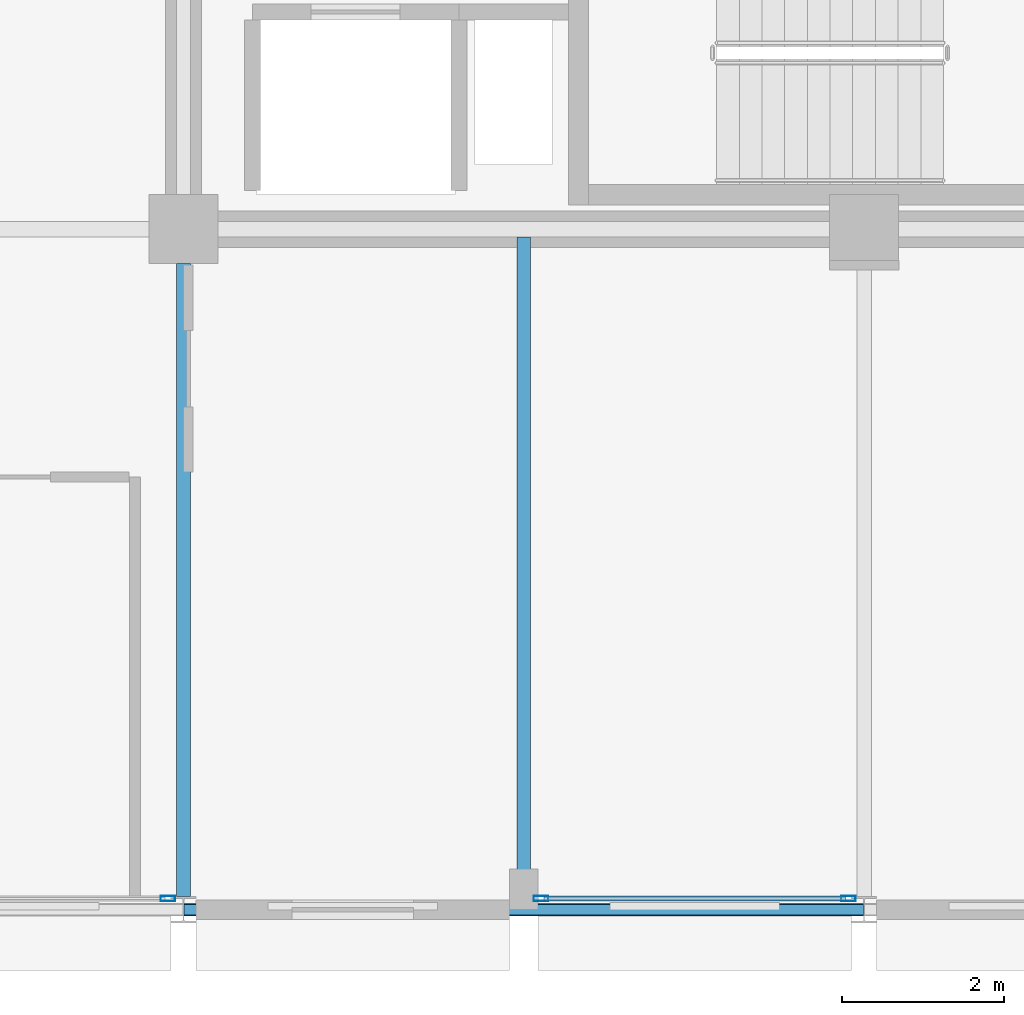
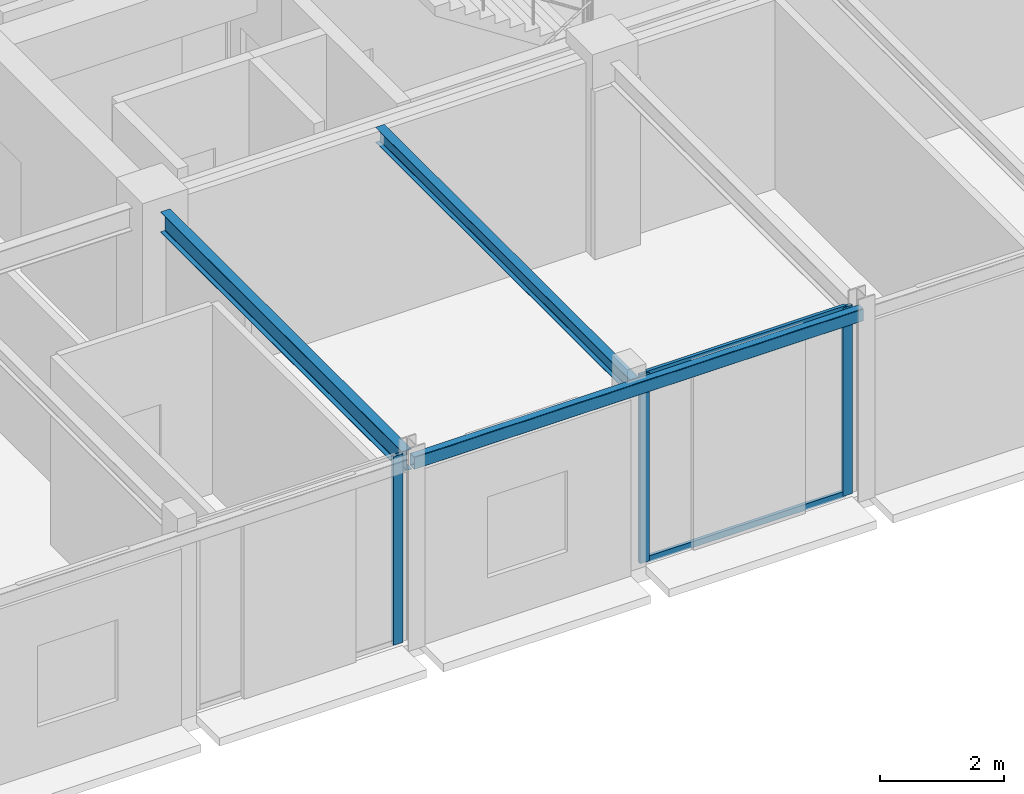
# One storey, part 7 of 27: 5 members, 3 beams, 2 elements without a shape of their own.
"""IFC4 building model written with IfcOpenShell, lengths in metres."""

import ifcopenshell
import ifcopenshell.guid

model = None  # the IFC model being written
_history = None  # IfcOwnerHistory: only IFC2X3 demands one
_inside = {}  # id of a spatial element -> (the spatial element, [elements in it])
_under = {}  # id of a project, library or spatial element -> (it, [spatial elements below it])
_declared = {}  # id of a project -> (the project, [libraries it declares])
_typed = {}  # id of a type object -> (the type object, [elements of that type])
_made_of = {}  # id of a material, layer set ... -> (it, [elements and type objects made of it])


def new_model(schema):
    """Start an empty IFC model of exactly this schema.

    Asked for "IFC4X3", IfcOpenShell would pick the latest addendum, in which some entities
    have other attributes; the version numbers below select the first issue.
    IFC2X3 requires an IfcOwnerHistory on every rooted entity: one is made here for all.
    """
    global model, _history
    if schema == "IFC4X3":
        model = ifcopenshell.file(schema_version=(4, 3, 0, 0))
    else:
        model = ifcopenshell.file(schema=schema)
    _inside.clear()
    _under.clear()
    _declared.clear()
    _typed.clear()
    _made_of.clear()
    _history = None
    if model.schema == "IFC2X3":
        org = make("IfcOrganization", Name="unknown")
        user = make(
            "IfcPersonAndOrganization",
            ThePerson=make("IfcPerson", FamilyName="unknown"),
            TheOrganization=org,
        )
        app = make(
            "IfcApplication",
            ApplicationDeveloper=org,
            Version="unknown",
            ApplicationFullName="unknown",
            ApplicationIdentifier="unknown",
        )
        _history = make(
            "IfcOwnerHistory",
            OwningUser=user,
            OwningApplication=app,
            ChangeAction="ADDED",
            CreationDate=0,
        )
    return model


def make(cls, **values):
    """One entity of the class cls with the attributes given. An attribute that is None is left unset."""
    return model.create_entity(
        cls, **{name: value for name, value in values.items() if value is not None}
    )


def rooted(cls, **values):
    """An entity with a GlobalId (a new one), such as an element, a storey or a relation."""
    return make(cls, GlobalId=ifcopenshell.guid.new(), OwnerHistory=_history, **values)


def si_unit(unit_type, name, prefix=None):
    """IfcSIUnit, for example si_unit("LENGTHUNIT", "METRE", prefix="MILLI")."""
    return make("IfcSIUnit", UnitType=unit_type, Prefix=prefix, Name=name)


def assignment(units):
    """IfcUnitAssignment: the units of a project."""
    return None if units is None else make("IfcUnitAssignment", Units=units)


def point(xyz):
    """IfcCartesianPoint."""
    return None if xyz is None else make("IfcCartesianPoint", Coordinates=xyz)


def direction(xyz):
    """IfcDirection."""
    return None if xyz is None else make("IfcDirection", DirectionRatios=xyz)


def frame(location, z_axis=None, x_axis=None):
    """IfcAxis2Placement3D, a coordinate frame: its origin and axes. An axis left out is left unset."""
    return make(
        "IfcAxis2Placement3D",
        Location=point(location),
        Axis=direction(z_axis),
        RefDirection=direction(x_axis),
    )


def frame_2d(location, x_axis=None):
    """IfcAxis2Placement2D, a coordinate frame in the plane: its origin and x axis."""
    return make(
        "IfcAxis2Placement2D", Location=point(location), RefDirection=direction(x_axis)
    )


def origin():
    """The frame at (0, 0, 0) with its axes left unset."""
    return frame((0.0, 0.0, 0.0))


def origin_2d():
    """The frame at (0, 0) in the plane with its x axis left unset."""
    return frame_2d((0.0, 0.0))


def place(relative_to, where):
    """IfcLocalPlacement: puts the frame where relative to a parent placement (None: the world)."""
    return make(
        "IfcLocalPlacement", PlacementRelTo=relative_to, RelativePlacement=where
    )


def context(
    kind, dimensions, precision=None, world=None, true_north=None, identifier=None
):
    """IfcGeometricRepresentationContext, for example the 3D "Model" context."""
    return make(
        "IfcGeometricRepresentationContext",
        ContextIdentifier=identifier,
        ContextType=kind,
        CoordinateSpaceDimension=dimensions,
        Precision=precision,
        WorldCoordinateSystem=world,
        TrueNorth=true_north,
    )


def subcontext(parent, identifier, kind, view, scale=None):
    """IfcGeometricRepresentationSubContext, for example "Body" below "Model"."""
    return make(
        "IfcGeometricRepresentationSubContext",
        ContextIdentifier=identifier,
        ContextType=kind,
        ParentContext=parent,
        TargetScale=scale,
        TargetView=view,
    )


def project(units=None, contexts=None):
    """IfcProject with its units and contexts."""
    return rooted(
        "IfcProject",
        Name="project",
        RepresentationContexts=contexts,
        UnitsInContext=assignment(units),
    )


def spatial(cls, under=None, at=None, **own):
    """A site, building, storey or space (cls), placed at a placement, below another one or the project."""
    s = rooted(cls, ObjectPlacement=at, **own)
    if under is not None:
        _under.setdefault(under.id(), (under, []))[1].append(s)
    return s


def profile(cls, at=None, kind="AREA", **sizes):
    """A parametric profile (cls). Its sizes go by their IFC names, for example OverallWidth=200.0."""
    return make(cls, ProfileType=kind, Position=at, **sizes)


def hollow_rectangle(**sizes):
    """IfcRectangleHollowProfileDef."""
    return profile("IfcRectangleHollowProfileDef", **sizes)


def i_section(**sizes):
    """IfcIShapeProfileDef."""
    return profile("IfcIShapeProfileDef", **sizes)


def extrude(swept, where, along, depth):
    """IfcExtrudedAreaSolid: the profile swept, set in the frame where, extruded along a direction by depth."""
    return make(
        "IfcExtrudedAreaSolid",
        SweptArea=swept,
        Position=where,
        ExtrudedDirection=direction(along),
        Depth=depth,
    )


def shape(context_of_items, identifier, shape_type, items):
    """IfcShapeRepresentation: the items that make up one representation, for example the "Body"."""
    return make(
        "IfcShapeRepresentation",
        ContextOfItems=context_of_items,
        RepresentationIdentifier=identifier,
        RepresentationType=shape_type,
        Items=items,
    )


def material(Name=None, Category=None):
    """IfcMaterial."""
    return make("IfcMaterial", Name=Name, Category=Category)


def layer(
    of_material, thickness, ventilated=None, Name=None, Category=None, Priority=None
):
    """IfcMaterialLayer: one layer of a wall or slab, of a material (None: an air gap)."""
    return make(
        "IfcMaterialLayer",
        Material=of_material,
        LayerThickness=thickness,
        IsVentilated=ventilated,
        Name=Name,
        Category=Category,
        Priority=Priority,
    )


def layer_set(layers, Name=None):
    """IfcMaterialLayerSet."""
    return make("IfcMaterialLayerSet", MaterialLayers=layers, LayerSetName=Name)


def material_profile(
    of_material, cross_section, Name=None, Category=None, Priority=None
):
    """IfcMaterialProfile: a cross section and its material."""
    return make(
        "IfcMaterialProfile",
        Name=Name,
        Material=of_material,
        Profile=cross_section,
        Priority=Priority,
        Category=Category,
    )


def profile_set(profiles, Name=None, composite=None):
    """IfcMaterialProfileSet."""
    return make(
        "IfcMaterialProfileSet",
        Name=Name,
        MaterialProfiles=profiles,
        CompositeProfile=composite,
    )


def made_of(thing, what):
    """Note that an element or type object is made of a material, layer set ...; save() writes the relation."""
    if what is not None:
        _made_of.setdefault(what.id(), (what, []))[1].append(thing)
    return thing


def type_object(cls, material=None, **own):
    """A type object (cls), such as IfcWallType, which elements share."""
    return made_of(rooted(cls, **own), material)


def element(
    cls,
    number,
    at=None,
    inside=None,
    cuts=None,
    type_object=None,
    material=None,
    context=None,
    identifier="Body",
    shape_type=None,
    held_by="IfcProductDefinitionShape",
    body=None,
    shapes=None,
    **own,
):
    """One element of the class cls, such as IfcWall. Its Tag is "e" and its number.

    at: its placement. inside: the storey or other place that contains it. cuts: it is an
    opening in that element (IfcRelVoidsElement). A single representation is given by context,
    identifier, shape_type and body (its items); several are given by shapes. held_by: the class
    of the entity that holds the representations. save() writes the other relations.
    """
    e = rooted(cls, Tag="e%d" % number, ObjectPlacement=at, **own)
    if body is not None:
        shapes = [shape(context, identifier, shape_type, body)]
    if shapes is not None:
        e.Representation = make(held_by, Representations=shapes)
    if inside is not None:
        _inside.setdefault(inside.id(), (inside, []))[1].append(e)
    if cuts is not None:
        rooted(
            "IfcRelVoidsElement", RelatingBuildingElement=cuts, RelatedOpeningElement=e
        )
    if type_object is not None:
        _typed.setdefault(type_object.id(), (type_object, []))[1].append(e)
    return made_of(e, material)


def aggregate(whole, parts):
    """IfcRelAggregates: a whole, such as a stair, and the parts it consists of."""
    return rooted("IfcRelAggregates", RelatingObject=whole, RelatedObjects=parts)


def save(model, path):
    """Write the relations noted so far, then the file.

    IfcRelAggregates (storeys below a building ...), IfcRelContainedInSpatialStructure (elements
    in a storey), IfcRelDefinesByType, IfcRelAssociatesMaterial and IfcRelDeclares: one each for
    every whole, place, type object, material and project.
    """
    for whole, parts in _under.values():
        aggregate(whole, parts)
    for where, things in _inside.values():
        rooted(
            "IfcRelContainedInSpatialStructure",
            RelatedElements=things,
            RelatingStructure=where,
        )
    for kind, things in _typed.values():
        rooted("IfcRelDefinesByType", RelatedObjects=things, RelatingType=kind)
    for what, things in _made_of.values():
        rooted("IfcRelAssociatesMaterial", RelatedObjects=things, RelatingMaterial=what)
    for by, libraries in _declared.values():
        rooted("IfcRelDeclares", RelatingContext=by, RelatedDefinitions=libraries)
    model.write(path)


model = new_model("IFC4")

# Units and contexts
model_context = context("Model", 3, precision=1e-05, world=origin(), true_north=direction((0.0, 1.0)))
body_context = subcontext(model_context, "Body", "Model", "MODEL_VIEW")
ifc_project = project(units=[si_unit("LENGTHUNIT", "METRE"), si_unit("AREAUNIT", "SQUARE_METRE"), si_unit("VOLUMEUNIT", "CUBIC_METRE"), si_unit("PLANEANGLEUNIT", "RADIAN"), si_unit("MASSUNIT", "GRAM", prefix="KILO")], contexts=[model_context])

# Site, building, storey
site_placement = place(None, origin())
site = spatial("IfcSite", under=ifc_project, at=site_placement, CompositionType="ELEMENT")
building_placement = place(site_placement, origin())
building = spatial("IfcBuilding", under=site, at=building_placement, Name="Nerrivon Quay Data Exchange", CompositionType="ELEMENT")
storey_placement = place(building_placement, frame((0.0, 0.0, 266.199951171875)))
storey = spatial("IfcBuildingStorey", under=building, at=storey_placement, Name="L63", CompositionType="ELEMENT", Elevation=266.199951171875)

# Beams
ifc_material_1 = material(Name="Steel Grade 350", Category="steel")
ifc_material_profile_1 = material_profile(ifc_material_1, i_section(OverallWidth=0.177978515625, OverallDepth=0.406005859375, WebThickness=0.0078125, FlangeThickness=0.0126953125, FilletRadius=0.011474609375, at=origin_2d()), Name="410UB59.7")
ifc_profile_set_1 = profile_set([ifc_material_profile_1], Name="Steel Grade 350")
beam_type_1 = type_object("IfcBeamType", Name="BM-J1-410UB60", PredefinedType="JOIST", material=ifc_profile_set_1)
beam_1_placement = place(storey_placement, frame((16.800048828125, 0.16357421875, 3.52197265625), z_axis=(0.0, 1.0, 0.0), x_axis=(-1.0, 0.0, 0.0)))
element("IfcBeam", 1, at=beam_1_placement, inside=storey, type_object=beam_type_1, Name="L63 NS Girder X=16.8 (0.0..8.4)", PredefinedType="JOIST", context=body_context, shape_type="SweptSolid", body=[
    extrude(i_section(OverallWidth=0.177978515625, OverallDepth=0.406005859375, WebThickness=0.0078125, FlangeThickness=0.0126953125, FilletRadius=0.011474609375, at=origin_2d()), origin(), (0.0, 0.0, 1.0), 7.8115234375),
])
ifc_material_profile_2 = material_profile(ifc_material_1, i_section(OverallWidth=0.1650390625, OverallDepth=0.303955078125, WebThickness=0.006103515625, FlangeThickness=0.01025390625, FilletRadius=0.011474609375, at=origin_2d()), Name="310UB40.4")
ifc_profile_set_2 = profile_set([ifc_material_profile_2], Name="Steel Grade 350")
beam_type_2 = type_object("IfcBeamType", Name="BM-J6-310UB40", PredefinedType="JOIST", material=ifc_profile_set_2)
beam_2_placement = place(storey_placement, frame((21.0, 0.074951171875, 3.572998046875), z_axis=(0.0, 1.0, 0.0), x_axis=(-1.0, 0.0, 0.0)))
element("IfcBeam", 2, at=beam_2_placement, inside=storey, type_object=beam_type_2, Name="L63 Secondary Joist X=21.0 (0.0..8.4)", PredefinedType="JOIST", context=body_context, shape_type="SweptSolid", body=[
    extrude(i_section(OverallWidth=0.1650390625, OverallDepth=0.303955078125, WebThickness=0.006103515625, FlangeThickness=0.01025390625, FilletRadius=0.011474609375, at=origin_2d()), origin(), (0.0, 0.0, 1.0), 8.22998046875),
])
ifc_material_2 = material(Name="Steel Grade C350L0 (350 MPa)", Category="steel")
ifc_material_profile_3 = material_profile(ifc_material_2, hollow_rectangle(XDim=0.14990234375, YDim=0.25, WallThickness=0.009033203125, InnerFilletRadius=0.013427734375, OuterFilletRadius=0.0224609375, at=origin_2d()), Name="250x150x9.0RHS")
ifc_profile_set_3 = profile_set([ifc_material_profile_3], Name="Steel Grade C350L0 (350 MPa)")
beam_type_3 = type_object("IfcBeamType", Name="BM-SP4-250x150RHS", PredefinedType="SPANDREL", material=ifc_profile_set_3)
beam_3_placement = place(storey_placement, frame((16.807861328125, 0.0, 3.60009765625), z_axis=(1.0, 0.0, 0.0), x_axis=(0.0, 1.0, 0.0)))
element("IfcBeam", 3, at=beam_3_placement, inside=storey, type_object=beam_type_3, Name="L63 EW Girder Y=0.0 (16.8..25.2)", PredefinedType="SPANDREL", context=body_context, shape_type="SweptSolid", body=[
    extrude(hollow_rectangle(XDim=0.14990234375, YDim=0.25, WallThickness=0.009033203125, InnerFilletRadius=0.013427734375, OuterFilletRadius=0.0224609375, at=origin_2d()), origin(), (0.0, 0.0, 1.0), 8.38427734375),
])

# Curtain wall, members
ifc_material_3 = material(Name="Anodised aluminium 6063-T6", Category="aluminium")
ifc_layer = layer(ifc_material_3, 0.195068359375)
ifc_layer_set = layer_set([ifc_layer], Name="Anodised aluminium 6063-T6")
curtain_wall_type = type_object("IfcCurtainWallType", Name="CW-SYS-06", PredefinedType="NOTDEFINED", material=ifc_layer_set)
curtain_wall_1_placement = place(storey_placement, origin())
curtain_wall_1 = element("IfcCurtainWall", 4, at=curtain_wall_1_placement, inside=storey, type_object=curtain_wall_type, Name="L63 Unitised Curtain Wall 4", PredefinedType="NOTDEFINED")
ifc_material_profile_4 = material_profile(ifc_material_3, hollow_rectangle(XDim=0.06494140625, YDim=0.179931640625, WallThickness=0.00341796875, at=origin_2d()), Name="ALU-MULL-180x65")
ifc_profile_set_4 = profile_set([ifc_material_profile_4], Name="Anodised aluminium 6063-T6")
member_type_1 = type_object("IfcMemberType", Name="CWM-180x65", PredefinedType="MULLION", material=ifc_profile_set_4)
member_1_placement = place(storey_placement, frame((25.007080078125, 0.139892578125, 0.0), z_axis=(0.0, 0.0, 1.0), x_axis=(0.0, -1.0, 0.0)))
member_1 = element("IfcMember", 5, at=member_1_placement, type_object=member_type_1, Name="CW06 mullion 1", PredefinedType="MULLION", context=body_context, shape_type="SweptSolid", body=[
    extrude(hollow_rectangle(XDim=0.06494140625, YDim=0.179931640625, WallThickness=0.00341796875, at=origin_2d()), origin(), (0.0, 0.0, 1.0), 3.72509765625),
])
member_2_placement = place(storey_placement, frame((21.21240234375, 0.139892578125, 0.0), z_axis=(0.0, 0.0, 1.0), x_axis=(0.0, -1.0, 0.0)))
member_2 = element("IfcMember", 6, at=member_2_placement, type_object=member_type_1, Name="CW06 mullion 2", PredefinedType="MULLION", context=body_context, shape_type="SweptSolid", body=[
    extrude(hollow_rectangle(XDim=0.06494140625, YDim=0.179931640625, WallThickness=0.00341796875, at=origin_2d()), origin(), (0.0, 0.0, 1.0), 3.72509765625),
])

# Curtain wall, member
curtain_wall_2_placement = place(storey_placement, origin())
curtain_wall_2 = element("IfcCurtainWall", 7, at=curtain_wall_2_placement, inside=storey, type_object=curtain_wall_type, Name="L63 Unitised Curtain Wall 6", PredefinedType="NOTDEFINED")
member_3_placement = place(storey_placement, frame((16.60693359375, 0.139892578125, 0.0), z_axis=(0.0, 0.0, 1.0), x_axis=(0.0, -1.0, 0.0)))
member_3 = element("IfcMember", 8, at=member_3_placement, type_object=member_type_1, Name="CW06 mullion 1", PredefinedType="MULLION", context=body_context, shape_type="SweptSolid", body=[
    extrude(hollow_rectangle(XDim=0.06494140625, YDim=0.179931640625, WallThickness=0.00341796875, at=origin_2d()), origin(), (0.0, 0.0, 1.0), 3.72509765625),
])
aggregate(curtain_wall_2, [member_3])

# Member
ifc_material_profile_5 = material_profile(ifc_material_3, hollow_rectangle(XDim=0.06005859375, YDim=0.1201171875, WallThickness=0.003173828125, at=origin_2d()), Name="ALU-TRAN-120x60")
ifc_profile_set_5 = profile_set([ifc_material_profile_5], Name="Anodised aluminium 6063-T6")
member_type_2 = type_object("IfcMemberType", Name="CWT-120x60", PredefinedType="USERDEFINED", material=ifc_profile_set_5)
member_4_placement = place(storey_placement, frame((24.969482421875, 0.139892578125, 0.032470703125), z_axis=(-1.0, 0.0, 0.0), x_axis=(0.0, -1.0, 0.0)))
member_4 = element("IfcMember", 9, at=member_4_placement, type_object=member_type_2, Name="CW06 transom 1.1", ObjectType="TRANSOM", PredefinedType="USERDEFINED", context=body_context, shape_type="SweptSolid", body=[
    extrude(hollow_rectangle(XDim=0.06005859375, YDim=0.1201171875, WallThickness=0.003173828125, at=origin_2d()), origin(), (0.0, 0.0, 1.0), 3.719482421875),
])

member_5_placement = place(storey_placement, frame((24.969482421875, 0.139892578125, 3.692626953125), z_axis=(-1.0, 0.0, 0.0), x_axis=(0.0, -1.0, 0.0)))
member_5 = element("IfcMember", 10, at=member_5_placement, type_object=member_type_2, Name="CW06 transom 1.2", ObjectType="TRANSOM", PredefinedType="USERDEFINED", context=body_context, shape_type="SweptSolid", body=[
    extrude(hollow_rectangle(XDim=0.06005859375, YDim=0.1201171875, WallThickness=0.003173828125, at=origin_2d()), origin(), (0.0, 0.0, 1.0), 3.719482421875),
])

aggregate(curtain_wall_1, [member_1, member_2, member_4, member_5])

save(model, "model.ifc")
